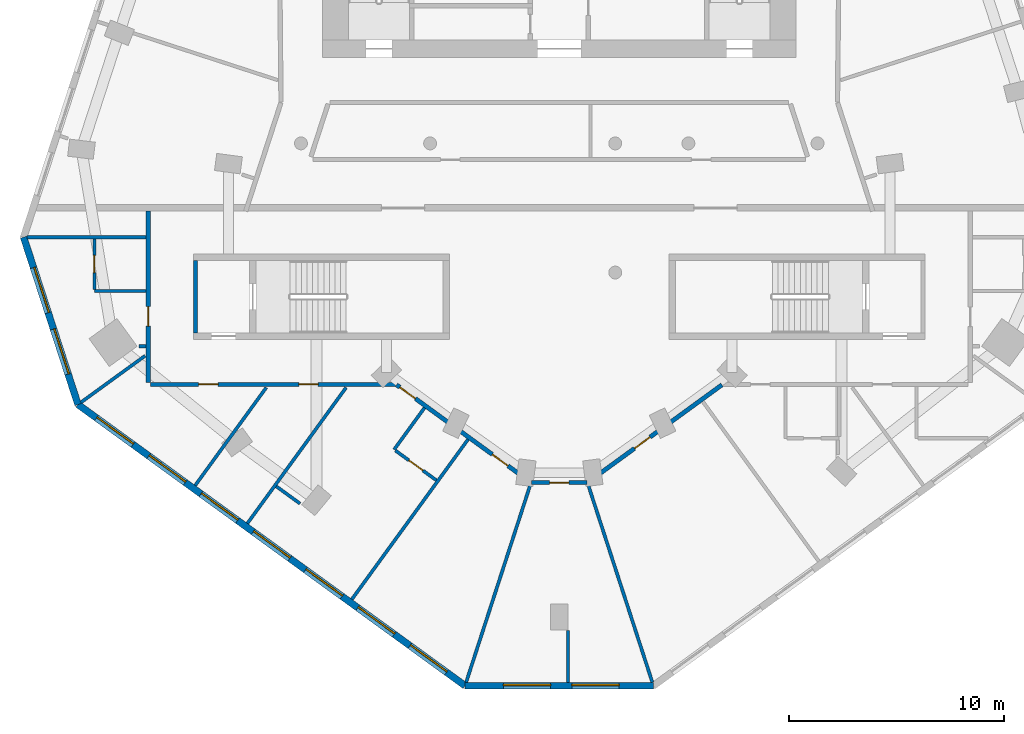
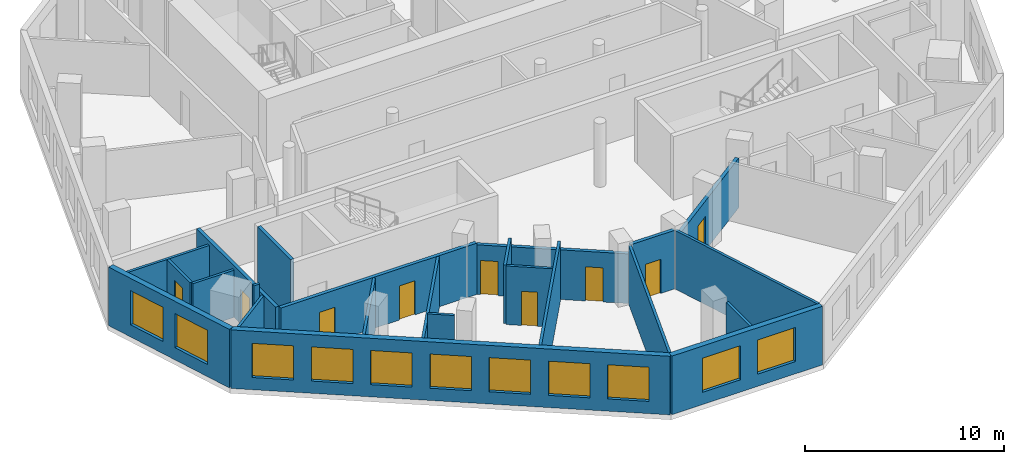
# One storey, part 2 of 9: 23 walls, 11 windows, 9 doors, 20 openings.
"""IFC4 building model written with IfcOpenShell, lengths in metres."""

from ifc_helpers import new_model, si_unit, direction, frame, frame_2d, origin, place, context, subcontext, project, spatial, rectangle, extrude, material, layer, layer_set, type_object, element, fill, save


model = new_model("IFC4")

# Units and contexts
model_context = context("Model", 3, precision=1e-05, world=origin(), true_north=direction((0.0, 1.0)))
body_context = subcontext(model_context, "Body", "Model", "MODEL_VIEW")
ifc_project = project(units=[si_unit("LENGTHUNIT", "METRE"), si_unit("AREAUNIT", "SQUARE_METRE"), si_unit("VOLUMEUNIT", "CUBIC_METRE"), si_unit("PLANEANGLEUNIT", "RADIAN"), si_unit("MASSUNIT", "GRAM", prefix="KILO")], contexts=[model_context])

# Site, building, storey
site_placement = place(None, origin())
site = spatial("IfcSite", under=ifc_project, at=site_placement, CompositionType="ELEMENT")
building_placement = place(site_placement, origin())
building = spatial("IfcBuilding", under=site, at=building_placement, Name="White Candle Pilgrim Tower", CompositionType="ELEMENT")
storey_placement = place(building_placement, frame((0.0, 0.0, 200.39990234375)))
storey = spatial("IfcBuildingStorey", under=building, at=storey_placement, Name="L46", CompositionType="ELEMENT", Elevation=200.39990234375)

# Wall
ifc_material_1 = material(Name="Concrete C50/60", Category="concrete")
ifc_layer_1 = layer(ifc_material_1, 0.199951171875)
ifc_layer_set_1 = layer_set([ifc_layer_1], Name="Core wall 200 mm Concrete C50/60")
wall_type_1 = type_object("IfcWallType", Name="Core wall 200 mm Concrete C50/60", PredefinedType="SHEAR", material=ifc_layer_set_1)
wall_1_placement = place(storey_placement, frame((53.10009765625, 58.199951171875, 0.0), z_axis=(0.0, 0.0, 1.0), x_axis=(0.0, 1.0, 0.0)))
element("IfcWall", 1, at=wall_1_placement, inside=storey, type_object=wall_type_1, Name="WL-L46-C03", PredefinedType="SHEAR", context=body_context, shape_type="SweptSolid", body=[
    extrude(rectangle(XDim=3.35009765625, YDim=0.199951171875, at=frame_2d((1.675048828125, 0.0))), origin(), (0.0, 0.0, 1.0), 3.900146484375),
])

# Wall, opening, door
ifc_material_2 = material(Name="Gypsum board on steel studs", Category="steel")
ifc_layer_2 = layer(ifc_material_2, 0.199951171875)
ifc_layer_set_2 = layer_set([ifc_layer_2], Name="Corridor wall 200 mm EI 45")
wall_type_2 = type_object("IfcWallType", Name="Corridor wall 200 mm EI 45", PredefinedType="PARTITIONING", material=ifc_layer_set_2)
wall_2_placement = place(storey_placement, frame((77.55908203125, 55.781005859375, 0.0), z_axis=(0.0, 0.0, 1.0), x_axis=(-0.80901190539, -0.587792256616, 0.0)))
wall_2 = element("IfcWall", 2, at=wall_2_placement, inside=storey, type_object=wall_type_2, Name="WL-L46-P008", PredefinedType="PARTITIONING", context=body_context, shape_type="SweptSolid", body=[
    extrude(rectangle(XDim=7.691162109375, YDim=0.199951171875, at=frame_2d((3.845703125, 0.0))), origin(), (0.0, 0.0, 1.0), 3.050048828125),
])
opening_1_placement = place(wall_2_placement, frame((4.125, 0.0, 0.0)))
opening_1 = element("IfcOpeningElement", 3, at=opening_1_placement, cuts=wall_2, Name="Opening T14-109", PredefinedType="OPENING", context=body_context, shape_type="SweptSolid", body=[
    extrude(rectangle(XDim=0.89990234375, YDim=2.10009765625, at=frame_2d((0.449951171875, 1.050048828125))), frame((0.0, 0.10986328125, 0.0), z_axis=(0.0, -1.0, 0.0), x_axis=(1.0, 0.0, 0.0)), (0.0, 0.0, 1.0), 0.219970703125),
])
ifc_material_3 = material(Name="Steel door leaf", Category="steel")
door_type_1 = type_object("IfcDoorType", Name="Fire door 900 x 2100 EI 30", OperationType="NOTDEFINED", PredefinedType="DOOR", material=ifc_material_3)
door_1_placement = place(opening_1_placement, origin())
door_1 = element("IfcDoor", 4, at=door_1_placement, inside=storey, type_object=door_type_1, Name="Door T14-109", OperationType="SINGLE_SWING_LEFT", OverallHeight=2.10009765625, OverallWidth=0.89990234375, PredefinedType="DOOR", context=body_context, shape_type="SweptSolid", body=[
    extrude(rectangle(XDim=0.89990234375, YDim=2.10009765625, at=frame_2d((0.449951171875, 1.050048828125))), frame((0.0, 0.02490234375, 0.0), z_axis=(0.0, -1.0, 0.0), x_axis=(1.0, 0.0, 0.0)), (0.0, 0.0, 1.0), 0.050048828125),
])
fill(opening_1, door_1)

wall_3_placement = place(storey_placement, frame((71.278076171875, 51.2412109375, 0.0), z_axis=(0.0, 0.0, 1.0), x_axis=(-1.0, 0.0, 0.0)))
wall_3 = element("IfcWall", 5, at=wall_3_placement, inside=storey, type_object=wall_type_2, Name="WL-L46-P009", PredefinedType="PARTITIONING", context=body_context, shape_type="SweptSolid", body=[
    extrude(rectangle(XDim=2.55615234375, YDim=0.199951171875, at=frame_2d((1.278076171875, 0.0))), origin(), (0.0, 0.0, 1.0), 3.60009765625),
])
opening_2_placement = place(wall_3_placement, frame((0.827880859375, 0.0, 0.0)))
opening_2 = element("IfcOpeningElement", 6, at=opening_2_placement, cuts=wall_3, Name="Opening T14-108", PredefinedType="OPENING", context=body_context, shape_type="SweptSolid", body=[
    extrude(rectangle(XDim=0.89990234375, YDim=2.10009765625, at=frame_2d((0.449951171875, 1.050048828125))), frame((0.0, 0.10986328125, 0.0), z_axis=(0.0, -1.0, 0.0), x_axis=(1.0, 0.0, 0.0)), (0.0, 0.0, 1.0), 0.219970703125),
])
door_2_placement = place(opening_2_placement, origin())
door_2 = element("IfcDoor", 7, at=door_2_placement, inside=storey, type_object=door_type_1, Name="Door T14-108", OperationType="SINGLE_SWING_RIGHT", OverallHeight=2.10009765625, OverallWidth=0.89990234375, PredefinedType="DOOR", context=body_context, shape_type="SweptSolid", body=[
    extrude(rectangle(XDim=0.89990234375, YDim=2.10009765625, at=frame_2d((0.449951171875, 1.050048828125))), frame((0.0, 0.02490234375, 0.0), z_axis=(0.0, -1.0, 0.0), x_axis=(1.0, 0.0, 0.0)), (0.0, 0.0, 1.0), 0.050048828125),
])
fill(opening_2, door_2)

# Wall, openings, doors
wall_4_placement = place(storey_placement, frame((68.6630859375, 51.26025390625, 0.0), z_axis=(0.0, 0.0, 1.0), x_axis=(-0.80901190539, 0.587792256616, 0.0)))
wall_4 = element("IfcWall", 8, at=wall_4_placement, inside=storey, type_object=wall_type_2, Name="WL-L46-P010", PredefinedType="PARTITIONING", context=body_context, shape_type="SweptSolid", body=[
    extrude(rectangle(XDim=7.691162109375, YDim=0.199951171875, at=frame_2d((3.845703125, 0.0))), origin(), (0.0, 0.0, 1.0), 3.050048828125),
])
opening_3_placement = place(wall_4_placement, frame((6.603759765625, 0.0, 0.0)))
opening_3 = element("IfcOpeningElement", 9, at=opening_3_placement, cuts=wall_4, Name="Opening T14-106", PredefinedType="OPENING", context=body_context, shape_type="SweptSolid", body=[
    extrude(rectangle(XDim=0.89990234375, YDim=2.10009765625, at=frame_2d((0.449951171875, 1.050048828125))), frame((0.0, 0.10986328125, 0.0), z_axis=(0.0, -1.0, 0.0), x_axis=(1.0, 0.0, 0.0)), (0.0, 0.0, 1.0), 0.219970703125),
])
opening_4_placement = place(wall_4_placement, frame((1.291015625, 0.0, 0.0)))
opening_4 = element("IfcOpeningElement", 10, at=opening_4_placement, cuts=wall_4, Name="Opening T14-107", PredefinedType="OPENING", context=body_context, shape_type="SweptSolid", body=[
    extrude(rectangle(XDim=0.89990234375, YDim=2.10009765625, at=frame_2d((0.449951171875, 1.050048828125))), frame((0.0, 0.10986328125, 0.0), z_axis=(0.0, -1.0, 0.0), x_axis=(1.0, 0.0, 0.0)), (0.0, 0.0, 1.0), 0.219970703125),
])
door_3_placement = place(opening_3_placement, origin())
door_3 = element("IfcDoor", 11, at=door_3_placement, inside=storey, type_object=door_type_1, Name="Door T14-106", OperationType="SINGLE_SWING_RIGHT", OverallHeight=2.10009765625, OverallWidth=0.89990234375, PredefinedType="DOOR", context=body_context, shape_type="SweptSolid", body=[
    extrude(rectangle(XDim=0.89990234375, YDim=2.10009765625, at=frame_2d((0.449951171875, 1.050048828125))), frame((0.0, 0.02490234375, 0.0), z_axis=(0.0, -1.0, 0.0), x_axis=(1.0, 0.0, 0.0)), (0.0, 0.0, 1.0), 0.050048828125),
])
fill(opening_3, door_3)
door_4_placement = place(opening_4_placement, origin())
door_4 = element("IfcDoor", 12, at=door_4_placement, inside=storey, type_object=door_type_1, Name="Door T14-107", OperationType="SINGLE_SWING_LEFT", OverallHeight=2.10009765625, OverallWidth=0.89990234375, PredefinedType="DOOR", context=body_context, shape_type="SweptSolid", body=[
    extrude(rectangle(XDim=0.89990234375, YDim=2.10009765625, at=frame_2d((0.449951171875, 1.050048828125))), frame((0.0, 0.02490234375, 0.0), z_axis=(0.0, -1.0, 0.0), x_axis=(1.0, 0.0, 0.0)), (0.0, 0.0, 1.0), 0.050048828125),
])
fill(opening_4, door_4)

wall_5_placement = place(storey_placement, frame((62.382080078125, 55.800048828125, 0.0), z_axis=(0.0, 0.0, 1.0), x_axis=(-1.0, 0.0, 0.0)))
wall_5 = element("IfcWall", 13, at=wall_5_placement, inside=storey, type_object=wall_type_2, Name="WL-L46-P011", PredefinedType="PARTITIONING", context=body_context, shape_type="SweptSolid", body=[
    extrude(rectangle(XDim=11.382080078125, YDim=0.199951171875, at=frame_2d((5.69091796875, 0.0))), origin(), (0.0, 0.0, 1.0), 3.150146484375),
])
opening_5_placement = place(wall_5_placement, frame((8.23583984375, 0.0, 0.0)))
opening_5 = element("IfcOpeningElement", 14, at=opening_5_placement, cuts=wall_5, Name="Opening T14-103", PredefinedType="OPENING", context=body_context, shape_type="SweptSolid", body=[
    extrude(rectangle(XDim=0.89990234375, YDim=2.10009765625, at=frame_2d((0.449951171875, 1.050048828125))), frame((0.0, 0.10986328125, 0.0), z_axis=(0.0, -1.0, 0.0), x_axis=(1.0, 0.0, 0.0)), (0.0, 0.0, 1.0), 0.219970703125),
])
opening_6_placement = place(wall_5_placement, frame((3.585205078125, 0.0, 0.0)))
opening_6 = element("IfcOpeningElement", 15, at=opening_6_placement, cuts=wall_5, Name="Opening T14-104", PredefinedType="OPENING", context=body_context, shape_type="SweptSolid", body=[
    extrude(rectangle(XDim=0.89990234375, YDim=2.10009765625, at=frame_2d((0.449951171875, 1.050048828125))), frame((0.0, 0.10986328125, 0.0), z_axis=(0.0, -1.0, 0.0), x_axis=(1.0, 0.0, 0.0)), (0.0, 0.0, 1.0), 0.219970703125),
])
door_5_placement = place(opening_5_placement, origin())
door_5 = element("IfcDoor", 16, at=door_5_placement, inside=storey, type_object=door_type_1, Name="Door T14-103", OperationType="SINGLE_SWING_LEFT", OverallHeight=2.10009765625, OverallWidth=0.89990234375, PredefinedType="DOOR", context=body_context, shape_type="SweptSolid", body=[
    extrude(rectangle(XDim=0.89990234375, YDim=2.10009765625, at=frame_2d((0.449951171875, 1.050048828125))), frame((0.0, 0.02490234375, 0.0), z_axis=(0.0, -1.0, 0.0), x_axis=(1.0, 0.0, 0.0)), (0.0, 0.0, 1.0), 0.050048828125),
])
fill(opening_5, door_5)
door_6_placement = place(opening_6_placement, origin())
door_6 = element("IfcDoor", 17, at=door_6_placement, inside=storey, type_object=door_type_1, Name="Door T14-104", OperationType="SINGLE_SWING_RIGHT", OverallHeight=2.10009765625, OverallWidth=0.89990234375, PredefinedType="DOOR", context=body_context, shape_type="SweptSolid", body=[
    extrude(rectangle(XDim=0.89990234375, YDim=2.10009765625, at=frame_2d((0.449951171875, 1.050048828125))), frame((0.0, 0.02490234375, 0.0), z_axis=(0.0, -1.0, 0.0), x_axis=(1.0, 0.0, 0.0)), (0.0, 0.0, 1.0), 0.050048828125),
])
fill(opening_6, door_6)

# Wall, opening, door
wall_6_placement = place(storey_placement, frame((50.89990234375, 55.89990234375, 0.0), z_axis=(0.0, 0.0, 1.0), x_axis=(0.0, 1.0, 0.0)))
wall_6 = element("IfcWall", 18, at=wall_6_placement, inside=storey, type_object=wall_type_2, Name="WL-L46-P012", PredefinedType="PARTITIONING", context=body_context, shape_type="SweptSolid", body=[
    extrude(rectangle(XDim=7.9501953125, YDim=0.199951171875, at=frame_2d((3.97509765625, 0.0))), origin(), (0.0, 0.0, 1.0), 3.150146484375),
])
opening_7_placement = place(wall_6_placement, frame((2.61376953125, 0.0, 0.0)))
opening_7 = element("IfcOpeningElement", 19, at=opening_7_placement, cuts=wall_6, Name="Opening T14-102", PredefinedType="OPENING", context=body_context, shape_type="SweptSolid", body=[
    extrude(rectangle(XDim=0.89990234375, YDim=2.10009765625, at=frame_2d((0.449951171875, 1.050048828125))), frame((0.0, 0.10986328125, 0.0), z_axis=(0.0, -1.0, 0.0), x_axis=(1.0, 0.0, 0.0)), (0.0, 0.0, 1.0), 0.219970703125),
])
door_7_placement = place(opening_7_placement, origin())
door_7 = element("IfcDoor", 20, at=door_7_placement, inside=storey, type_object=door_type_1, Name="Door T14-102", OperationType="SINGLE_SWING_RIGHT", OverallHeight=2.10009765625, OverallWidth=0.89990234375, PredefinedType="DOOR", context=body_context, shape_type="SweptSolid", body=[
    extrude(rectangle(XDim=0.89990234375, YDim=2.10009765625, at=frame_2d((0.449951171875, 1.050048828125))), frame((0.0, 0.02490234375, 0.0), z_axis=(0.0, -1.0, 0.0), x_axis=(1.0, 0.0, 0.0)), (0.0, 0.0, 1.0), 0.050048828125),
])
fill(opening_7, door_7)

# Wall, openings, windows
ifc_material_4 = material(Name="Precast concrete C40/50", Category="concrete")
ifc_layer_3 = layer(ifc_material_4, 0.320068359375)
ifc_layer_set_3 = layer_set([ifc_layer_3], Name="Facade wall EW1 precast concrete C40/50 pier wall with timber-lined reveals")
wall_type_3 = type_object("IfcWallType", Name="Facade wall EW1 precast concrete C40/50 pier wall with timber-lined reveals", PredefinedType="SOLIDWALL", material=ifc_layer_set_3)
wall_7_placement = place(storey_placement, frame((45.11279296875, 62.6416015625, 0.0), z_axis=(0.0, 0.0, 1.0), x_axis=(0.309006387978, -0.951059962457, 0.0)))
wall_7 = element("IfcWall", 21, at=wall_7_placement, inside=storey, type_object=wall_type_3, Name="Facade wall L46 W chamfer", PredefinedType="SOLIDWALL", context=body_context, shape_type="SweptSolid", body=[
    extrude(rectangle(XDim=8.175048828125, YDim=0.320068359375, at=frame_2d((4.08740234375, 0.0))), origin(), (0.0, 0.0, 1.0), 3.60009765625),
])
opening_8_placement = place(wall_7_placement, frame((1.487548828125, 0.0, 0.75)))
opening_8 = element("IfcOpeningElement", 22, at=opening_8_placement, cuts=wall_7, Name="Opening W4", PredefinedType="OPENING", context=body_context, shape_type="SweptSolid", body=[
    extrude(rectangle(XDim=2.199951171875, YDim=2.10009765625, at=frame_2d((1.10009765625, 1.050048828125))), frame((0.0, 0.169921875, 0.0), z_axis=(0.0, -1.0, 0.0), x_axis=(1.0, 0.0, 0.0)), (0.0, 0.0, 1.0), 0.340087890625),
])
opening_9_placement = place(wall_7_placement, frame((4.487548828125, 0.0, 0.75)))
opening_9 = element("IfcOpeningElement", 23, at=opening_9_placement, cuts=wall_7, Name="Opening W4", PredefinedType="OPENING", context=body_context, shape_type="SweptSolid", body=[
    extrude(rectangle(XDim=2.199951171875, YDim=2.10009765625, at=frame_2d((1.10009765625, 1.050048828125))), frame((0.0, 0.169921875, 0.0), z_axis=(0.0, -1.0, 0.0), x_axis=(1.0, 0.0, 0.0)), (0.0, 0.0, 1.0), 0.340087890625),
])
ifc_material_5 = material(Name="Timber frame with triple glazing", Category="wood")
window_type_1 = type_object("IfcWindowType", Name="Window W4 2200x2100 timber frame triple glazing", PartitioningType="SINGLE_PANEL", PredefinedType="WINDOW", material=ifc_material_5)
window_1_placement = place(opening_8_placement, origin())
window_1 = element("IfcWindow", 24, at=window_1_placement, inside=storey, type_object=window_type_1, Name="Window W4 L46 W chamfer 1", OverallHeight=2.10009765625, OverallWidth=2.199951171875, PartitioningType="SINGLE_PANEL", PredefinedType="WINDOW", context=body_context, shape_type="SweptSolid", body=[
    extrude(rectangle(XDim=2.199951171875, YDim=2.10009765625, at=frame_2d((1.10009765625, 1.050048828125))), frame((0.0, 0.070068359375, 0.0), z_axis=(0.0, -1.0, 0.0), x_axis=(1.0, 0.0, 0.0)), (0.0, 0.0, 1.0), 0.06005859375),
])
fill(opening_8, window_1)
window_2_placement = place(opening_9_placement, origin())
window_2 = element("IfcWindow", 25, at=window_2_placement, inside=storey, type_object=window_type_1, Name="Window W4 L46 W chamfer 2", OverallHeight=2.10009765625, OverallWidth=2.199951171875, PartitioningType="SINGLE_PANEL", PredefinedType="WINDOW", context=body_context, shape_type="SweptSolid", body=[
    extrude(rectangle(XDim=2.199951171875, YDim=2.10009765625, at=frame_2d((1.10009765625, 1.050048828125))), frame((0.0, 0.070068359375, 0.0), z_axis=(0.0, -1.0, 0.0), x_axis=(1.0, 0.0, 0.0)), (0.0, 0.0, 1.0), 0.06005859375),
])
fill(opening_9, window_2)

wall_8_placement = place(storey_placement, frame((47.638916015625, 54.86669921875, 0.0), z_axis=(0.0, 0.0, 1.0), x_axis=(0.809017634756, -0.587784370883, 0.0)))
wall_8 = element("IfcWall", 26, at=wall_8_placement, inside=storey, type_object=wall_type_3, Name="Facade wall L46 SW", PredefinedType="SOLIDWALL", context=body_context, shape_type="SweptSolid", body=[
    extrude(rectangle(XDim=22.228759765625, YDim=0.320068359375, at=frame_2d((11.1142578125, 0.0))), origin(), (0.0, 0.0, 1.0), 3.60009765625),
])
opening_10_placement = place(wall_8_placement, frame((1.064208984375, 0.0, 0.75)))
opening_10 = element("IfcOpeningElement", 27, at=opening_10_placement, cuts=wall_8, Name="Opening W3", PredefinedType="OPENING", context=body_context, shape_type="SweptSolid", body=[
    extrude(rectangle(XDim=2.10009765625, YDim=2.10009765625, at=frame_2d((1.050048828125, 1.050048828125))), frame((0.0, 0.169921875, 0.0), z_axis=(0.0, -1.0, 0.0), x_axis=(1.0, 0.0, 0.0)), (0.0, 0.0, 1.0), 0.340087890625),
])
opening_11_placement = place(wall_8_placement, frame((4.064208984375, 0.0, 0.75)))
opening_11 = element("IfcOpeningElement", 28, at=opening_11_placement, cuts=wall_8, Name="Opening W3", PredefinedType="OPENING", context=body_context, shape_type="SweptSolid", body=[
    extrude(rectangle(XDim=2.10009765625, YDim=2.10009765625, at=frame_2d((1.050048828125, 1.050048828125))), frame((0.0, 0.169921875, 0.0), z_axis=(0.0, -1.0, 0.0), x_axis=(1.0, 0.0, 0.0)), (0.0, 0.0, 1.0), 0.340087890625),
])
opening_12_placement = place(wall_8_placement, frame((7.064208984375, 0.0, 0.75)))
opening_12 = element("IfcOpeningElement", 29, at=opening_12_placement, cuts=wall_8, Name="Opening W3", PredefinedType="OPENING", context=body_context, shape_type="SweptSolid", body=[
    extrude(rectangle(XDim=2.10009765625, YDim=2.10009765625, at=frame_2d((1.050048828125, 1.050048828125))), frame((0.0, 0.169921875, 0.0), z_axis=(0.0, -1.0, 0.0), x_axis=(1.0, 0.0, 0.0)), (0.0, 0.0, 1.0), 0.340087890625),
])
opening_13_placement = place(wall_8_placement, frame((10.064208984375, 0.0, 0.75)))
opening_13 = element("IfcOpeningElement", 30, at=opening_13_placement, cuts=wall_8, Name="Opening W3", PredefinedType="OPENING", context=body_context, shape_type="SweptSolid", body=[
    extrude(rectangle(XDim=2.10009765625, YDim=2.10009765625, at=frame_2d((1.050048828125, 1.050048828125))), frame((0.0, 0.169921875, 0.0), z_axis=(0.0, -1.0, 0.0), x_axis=(1.0, 0.0, 0.0)), (0.0, 0.0, 1.0), 0.340087890625),
])
opening_14_placement = place(wall_8_placement, frame((13.064208984375, 0.0, 0.75)))
opening_14 = element("IfcOpeningElement", 31, at=opening_14_placement, cuts=wall_8, Name="Opening W3", PredefinedType="OPENING", context=body_context, shape_type="SweptSolid", body=[
    extrude(rectangle(XDim=2.10009765625, YDim=2.10009765625, at=frame_2d((1.050048828125, 1.050048828125))), frame((0.0, 0.169921875, 0.0), z_axis=(0.0, -1.0, 0.0), x_axis=(1.0, 0.0, 0.0)), (0.0, 0.0, 1.0), 0.340087890625),
])
opening_15_placement = place(wall_8_placement, frame((16.064208984375, 0.0, 0.75)))
opening_15 = element("IfcOpeningElement", 32, at=opening_15_placement, cuts=wall_8, Name="Opening W3", PredefinedType="OPENING", context=body_context, shape_type="SweptSolid", body=[
    extrude(rectangle(XDim=2.10009765625, YDim=2.10009765625, at=frame_2d((1.050048828125, 1.050048828125))), frame((0.0, 0.169921875, 0.0), z_axis=(0.0, -1.0, 0.0), x_axis=(1.0, 0.0, 0.0)), (0.0, 0.0, 1.0), 0.340087890625),
])
opening_16_placement = place(wall_8_placement, frame((19.064208984375, 0.0, 0.75)))
opening_16 = element("IfcOpeningElement", 33, at=opening_16_placement, cuts=wall_8, Name="Opening W3", PredefinedType="OPENING", context=body_context, shape_type="SweptSolid", body=[
    extrude(rectangle(XDim=2.10009765625, YDim=2.10009765625, at=frame_2d((1.050048828125, 1.050048828125))), frame((0.0, 0.169921875, 0.0), z_axis=(0.0, -1.0, 0.0), x_axis=(1.0, 0.0, 0.0)), (0.0, 0.0, 1.0), 0.340087890625),
])
window_type_2 = type_object("IfcWindowType", Name="Window W3 2100x2100 timber frame triple glazing", PartitioningType="SINGLE_PANEL", PredefinedType="WINDOW", material=ifc_material_5)
window_3_placement = place(opening_10_placement, origin())
window_3 = element("IfcWindow", 34, at=window_3_placement, inside=storey, type_object=window_type_2, Name="Window W3 L46 SW 1", OverallHeight=2.10009765625, OverallWidth=2.10009765625, PartitioningType="SINGLE_PANEL", PredefinedType="WINDOW", context=body_context, shape_type="SweptSolid", body=[
    extrude(rectangle(XDim=2.10009765625, YDim=2.10009765625, at=frame_2d((1.050048828125, 1.050048828125))), frame((0.0, 0.070068359375, 0.0), z_axis=(0.0, -1.0, 0.0), x_axis=(1.0, 0.0, 0.0)), (0.0, 0.0, 1.0), 0.06005859375),
])
fill(opening_10, window_3)
window_4_placement = place(opening_11_placement, origin())
window_4 = element("IfcWindow", 35, at=window_4_placement, inside=storey, type_object=window_type_2, Name="Window W3 L46 SW 2", OverallHeight=2.10009765625, OverallWidth=2.10009765625, PartitioningType="SINGLE_PANEL", PredefinedType="WINDOW", context=body_context, shape_type="SweptSolid", body=[
    extrude(rectangle(XDim=2.10009765625, YDim=2.10009765625, at=frame_2d((1.050048828125, 1.050048828125))), frame((0.0, 0.070068359375, 0.0), z_axis=(0.0, -1.0, 0.0), x_axis=(1.0, 0.0, 0.0)), (0.0, 0.0, 1.0), 0.06005859375),
])
fill(opening_11, window_4)
window_5_placement = place(opening_12_placement, origin())
window_5 = element("IfcWindow", 36, at=window_5_placement, inside=storey, type_object=window_type_2, Name="Window W3 L46 SW 3", OverallHeight=2.10009765625, OverallWidth=2.10009765625, PartitioningType="SINGLE_PANEL", PredefinedType="WINDOW", context=body_context, shape_type="SweptSolid", body=[
    extrude(rectangle(XDim=2.10009765625, YDim=2.10009765625, at=frame_2d((1.050048828125, 1.050048828125))), frame((0.0, 0.070068359375, 0.0), z_axis=(0.0, -1.0, 0.0), x_axis=(1.0, 0.0, 0.0)), (0.0, 0.0, 1.0), 0.06005859375),
])
fill(opening_12, window_5)
window_6_placement = place(opening_13_placement, origin())
window_6 = element("IfcWindow", 37, at=window_6_placement, inside=storey, type_object=window_type_2, Name="Window W3 L46 SW 4", OverallHeight=2.10009765625, OverallWidth=2.10009765625, PartitioningType="SINGLE_PANEL", PredefinedType="WINDOW", context=body_context, shape_type="SweptSolid", body=[
    extrude(rectangle(XDim=2.10009765625, YDim=2.10009765625, at=frame_2d((1.050048828125, 1.050048828125))), frame((0.0, 0.070068359375, 0.0), z_axis=(0.0, -1.0, 0.0), x_axis=(1.0, 0.0, 0.0)), (0.0, 0.0, 1.0), 0.06005859375),
])
fill(opening_13, window_6)
window_7_placement = place(opening_14_placement, origin())
window_7 = element("IfcWindow", 38, at=window_7_placement, inside=storey, type_object=window_type_2, Name="Window W3 L46 SW 5", OverallHeight=2.10009765625, OverallWidth=2.10009765625, PartitioningType="SINGLE_PANEL", PredefinedType="WINDOW", context=body_context, shape_type="SweptSolid", body=[
    extrude(rectangle(XDim=2.10009765625, YDim=2.10009765625, at=frame_2d((1.050048828125, 1.050048828125))), frame((0.0, 0.070068359375, 0.0), z_axis=(0.0, -1.0, 0.0), x_axis=(1.0, 0.0, 0.0)), (0.0, 0.0, 1.0), 0.06005859375),
])
fill(opening_14, window_7)
window_8_placement = place(opening_15_placement, origin())
window_8 = element("IfcWindow", 39, at=window_8_placement, inside=storey, type_object=window_type_2, Name="Window W3 L46 SW 6", OverallHeight=2.10009765625, OverallWidth=2.10009765625, PartitioningType="SINGLE_PANEL", PredefinedType="WINDOW", context=body_context, shape_type="SweptSolid", body=[
    extrude(rectangle(XDim=2.10009765625, YDim=2.10009765625, at=frame_2d((1.050048828125, 1.050048828125))), frame((0.0, 0.070068359375, 0.0), z_axis=(0.0, -1.0, 0.0), x_axis=(1.0, 0.0, 0.0)), (0.0, 0.0, 1.0), 0.06005859375),
])
fill(opening_15, window_8)
window_9_placement = place(opening_16_placement, origin())
window_9 = element("IfcWindow", 40, at=window_9_placement, inside=storey, type_object=window_type_2, Name="Window W3 L46 SW 7", OverallHeight=2.10009765625, OverallWidth=2.10009765625, PartitioningType="SINGLE_PANEL", PredefinedType="WINDOW", context=body_context, shape_type="SweptSolid", body=[
    extrude(rectangle(XDim=2.10009765625, YDim=2.10009765625, at=frame_2d((1.050048828125, 1.050048828125))), frame((0.0, 0.070068359375, 0.0), z_axis=(0.0, -1.0, 0.0), x_axis=(1.0, 0.0, 0.0)), (0.0, 0.0, 1.0), 0.06005859375),
])
fill(opening_16, window_9)

wall_9_placement = place(storey_placement, frame((65.622314453125, 41.801025390625, 0.0), z_axis=(0.0, 0.0, 1.0), x_axis=(1.0, 0.0, 0.0)))
wall_9 = element("IfcWall", 41, at=wall_9_placement, inside=storey, type_object=wall_type_3, Name="Facade wall L46 S chamfer", PredefinedType="SOLIDWALL", context=body_context, shape_type="SweptSolid", body=[
    extrude(rectangle(XDim=8.75537109375, YDim=0.320068359375, at=frame_2d((4.377685546875, 0.0))), origin(), (0.0, 0.0, 1.0), 3.60009765625),
])
opening_17_placement = place(wall_9_placement, frame((1.77783203125, 0.0, 0.75)))
opening_17 = element("IfcOpeningElement", 42, at=opening_17_placement, cuts=wall_9, Name="Opening W4", PredefinedType="OPENING", context=body_context, shape_type="SweptSolid", body=[
    extrude(rectangle(XDim=2.199951171875, YDim=2.10009765625, at=frame_2d((1.10009765625, 1.050048828125))), frame((0.0, 0.169921875, 0.0), z_axis=(0.0, -1.0, 0.0), x_axis=(1.0, 0.0, 0.0)), (0.0, 0.0, 1.0), 0.340087890625),
])
opening_18_placement = place(wall_9_placement, frame((4.962890625, 0.0, 0.75)))
opening_18 = element("IfcOpeningElement", 43, at=opening_18_placement, cuts=wall_9, Name="Opening W4", PredefinedType="OPENING", context=body_context, shape_type="SweptSolid", body=[
    extrude(rectangle(XDim=2.199951171875, YDim=2.10009765625, at=frame_2d((1.10009765625, 1.050048828125))), frame((0.0, 0.169921875, 0.0), z_axis=(0.0, -1.0, 0.0), x_axis=(1.0, 0.0, 0.0)), (0.0, 0.0, 1.0), 0.340087890625),
])
window_10_placement = place(opening_17_placement, origin())
window_10 = element("IfcWindow", 44, at=window_10_placement, inside=storey, type_object=window_type_1, Name="Window W4 L46 S chamfer 1", OverallHeight=2.10009765625, OverallWidth=2.199951171875, PartitioningType="SINGLE_PANEL", PredefinedType="WINDOW", context=body_context, shape_type="SweptSolid", body=[
    extrude(rectangle(XDim=2.199951171875, YDim=2.10009765625, at=frame_2d((1.10009765625, 1.050048828125))), frame((0.0, 0.070068359375, 0.0), z_axis=(0.0, -1.0, 0.0), x_axis=(1.0, 0.0, 0.0)), (0.0, 0.0, 1.0), 0.06005859375),
])
fill(opening_17, window_10)
window_11_placement = place(opening_18_placement, origin())
window_11 = element("IfcWindow", 45, at=window_11_placement, inside=storey, type_object=window_type_1, Name="Window W4 L46 S chamfer 2", OverallHeight=2.10009765625, OverallWidth=2.199951171875, PartitioningType="SINGLE_PANEL", PredefinedType="WINDOW", context=body_context, shape_type="SweptSolid", body=[
    extrude(rectangle(XDim=2.199951171875, YDim=2.10009765625, at=frame_2d((1.10009765625, 1.050048828125))), frame((0.0, 0.070068359375, 0.0), z_axis=(0.0, -1.0, 0.0), x_axis=(1.0, 0.0, 0.0)), (0.0, 0.0, 1.0), 0.06005859375),
])
fill(opening_18, window_11)

# Walls
ifc_layer_4 = layer(ifc_material_2, 0.14990234375)
ifc_layer_set_4 = layer_set([ifc_layer_4], Name="Partition 150 mm EI 60")
wall_type_4 = type_object("IfcWallType", Name="Partition 150 mm EI 60", PredefinedType="PARTITIONING", material=ifc_layer_set_4)
wall_10_placement = place(storey_placement, frame((45.281005859375, 62.6416015625, 0.0), z_axis=(0.0, 0.0, 1.0), x_axis=(1.0, 0.0, 0.0)))
element("IfcWall", 46, at=wall_10_placement, inside=storey, type_object=wall_type_4, Name="WL-L46-P018", PredefinedType="PARTITIONING", context=body_context, shape_type="SweptSolid", body=[
    extrude(rectangle(XDim=5.51904296875, YDim=0.14990234375, at=frame_2d((2.759521484375, 0.0))), origin(), (0.0, 0.0, 1.0), 2.900146484375),
])
wall_11_placement = place(storey_placement, frame((47.775146484375, 54.965576171875, 0.0), z_axis=(0.0, 0.0, 1.0), x_axis=(0.809028266422, 0.587769737338, 0.0)))
element("IfcWall", 47, at=wall_11_placement, inside=storey, type_object=wall_type_4, Name="WL-L46-P019", PredefinedType="PARTITIONING", context=body_context, shape_type="SweptSolid", body=[
    extrude(rectangle(XDim=3.684326171875, YDim=0.14990234375, at=frame_2d((1.84228515625, 0.0))), origin(), (0.0, 0.0, 1.0), 3.150146484375),
])
for number, where, z_axis, x_axis, name in (
    (48, (65.67431640625, 41.961181640625, 0.0), (0.0, 0.0, 1.0), (0.309002171774, 0.951061332322, 0.0), "WL-L46-P020"),
    (49, (74.32568359375, 41.961181640625, 0.0), (0.0, 0.0, 1.0), (-0.309002171774, 0.951061332322, 0.0), "WL-L46-P021"),
):
    element("IfcWall", number, at=place(storey_placement, frame(where, z_axis=z_axis, x_axis=x_axis)), inside=storey, type_object=wall_type_4, Name=name, PredefinedType="PARTITIONING", context=body_context, shape_type="SweptSolid", body=[
        extrude(rectangle(XDim=9.67236328125, YDim=0.14990234375, at=frame_2d((4.836181640625, 0.0))), origin(), (0.0, 0.0, 1.0), 3.60009765625),
    ])
wall_12_placement = place(storey_placement, frame((50.800048828125, 60.1416015625, 0.0), z_axis=(0.0, 0.0, 1.0), x_axis=(-1.0, 0.0, 0.0)))
element("IfcWall", 50, at=wall_12_placement, inside=storey, type_object=wall_type_4, Name="WL-L46-P026", PredefinedType="PARTITIONING", context=body_context, shape_type="SweptSolid", body=[
    extrude(rectangle(XDim=2.400146484375, YDim=0.14990234375, at=frame_2d((1.2001953125, 0.0))), origin(), (0.0, 0.0, 1.0), 2.900146484375),
])

# Wall, opening, door
wall_13_placement = place(storey_placement, frame((48.39990234375, 62.566650390625, 0.0), z_axis=(0.0, 0.0, 1.0), x_axis=(0.0, -1.0, 0.0)))
wall_13 = element("IfcWall", 51, at=wall_13_placement, inside=storey, type_object=wall_type_4, Name="WL-L46-P027", PredefinedType="PARTITIONING", context=body_context, shape_type="SweptSolid", body=[
    extrude(rectangle(XDim=2.35009765625, YDim=0.14990234375, at=frame_2d((1.175048828125, 0.0))), origin(), (0.0, 0.0, 1.0), 2.900146484375),
])
opening_19_placement = place(wall_13_placement, frame((0.77490234375, 0.0, 0.0)))
opening_19 = element("IfcOpeningElement", 52, at=opening_19_placement, cuts=wall_13, Name="Opening T14-101", PredefinedType="OPENING", context=body_context, shape_type="SweptSolid", body=[
    extrude(rectangle(XDim=0.800048828125, YDim=2.10009765625, at=frame_2d((0.39990234375, 1.050048828125))), frame((0.0, 0.0849609375, 0.0), z_axis=(0.0, -1.0, 0.0), x_axis=(1.0, 0.0, 0.0)), (0.0, 0.0, 1.0), 0.169921875),
])
door_type_2 = type_object("IfcDoorType", Name="Fire door 800 x 2100 EI 30", OperationType="NOTDEFINED", PredefinedType="DOOR", material=ifc_material_3)
door_8_placement = place(opening_19_placement, frame((0.800048828125, 0.0, 0.0), z_axis=(0.0, 0.0, 1.0), x_axis=(-1.0, 0.0, 0.0)))
door_8 = element("IfcDoor", 53, at=door_8_placement, inside=storey, type_object=door_type_2, Name="Door T14-101", OperationType="SINGLE_SWING_RIGHT", OverallHeight=2.10009765625, OverallWidth=0.800048828125, PredefinedType="DOOR", context=body_context, shape_type="SweptSolid", body=[
    extrude(rectangle(XDim=0.800048828125, YDim=2.10009765625, at=frame_2d((0.39990234375, 1.050048828125))), frame((0.0, 0.02490234375, 0.0), z_axis=(0.0, -1.0, 0.0), x_axis=(1.0, 0.0, 0.0)), (0.0, 0.0, 1.0), 0.050048828125),
])
fill(opening_19, door_8)

# Walls
wall_14_placement = place(storey_placement, frame((53.083984375, 51.1083984375, 0.0), z_axis=(0.0, 0.0, 1.0), x_axis=(0.587804932614, 0.809002695419, 0.0)))
element("IfcWall", 54, at=wall_14_placement, inside=storey, type_object=wall_type_4, Name="WL-L46-P028", PredefinedType="PARTITIONING", context=body_context, shape_type="SweptSolid", body=[
    extrude(rectangle(XDim=5.621337890625, YDim=0.14990234375, at=frame_2d((2.810546875, 0.0))), origin(), (0.0, 0.0, 1.0), 3.150146484375),
])
wall_15_placement = place(storey_placement, frame((55.510986328125, 49.344970703125, 0.0), z_axis=(0.0, 0.0, 1.0), x_axis=(0.587782705134, 0.809018844988, 0.0)))
element("IfcWall", 55, at=wall_15_placement, inside=storey, type_object=wall_type_4, Name="WL-L46-P029", PredefinedType="PARTITIONING", context=body_context, shape_type="SweptSolid", body=[
    extrude(rectangle(XDim=7.80078125, YDim=0.14990234375, at=frame_2d((3.900390625, 0.0))), origin(), (0.0, 0.0, 1.0), 3.150146484375),
])
wall_16_placement = place(storey_placement, frame((60.365234375, 45.818359375, 0.0), z_axis=(0.0, 0.0, 1.0), x_axis=(0.587777877013, 0.809022352778, 0.0)))
element("IfcWall", 56, at=wall_16_placement, inside=storey, type_object=wall_type_4, Name="WL-L46-P030", PredefinedType="PARTITIONING", context=body_context, shape_type="SweptSolid", body=[
    extrude(rectangle(XDim=9.179931640625, YDim=0.14990234375, at=frame_2d((4.58984375, 0.0))), origin(), (0.0, 0.0, 1.0), 3.60009765625),
])
wall_17_placement = place(storey_placement, frame((63.738525390625, 54.714599609375, 0.0), z_axis=(0.0, 0.0, 1.0), x_axis=(-0.587772420479, -0.809026317077, 0.0)))
element("IfcWall", 57, at=wall_17_placement, inside=storey, type_object=wall_type_4, Name="WL-L46-P031", PredefinedType="PARTITIONING", context=body_context, shape_type="SweptSolid", body=[
    extrude(rectangle(XDim=2.39990234375, YDim=0.14990234375, at=frame_2d((1.199951171875, 0.0))), origin(), (0.0, 0.0, 1.0), 3.60009765625),
])

# Wall, opening, door
wall_18_placement = place(storey_placement, frame((64.289794921875, 51.347412109375, 0.0), z_axis=(0.0, 0.0, 1.0), x_axis=(-0.808996573949, 0.587813357571, 0.0)))
wall_18 = element("IfcWall", 58, at=wall_18_placement, inside=storey, type_object=wall_type_4, Name="WL-L46-P032", PredefinedType="PARTITIONING", context=body_context, shape_type="SweptSolid", body=[
    extrude(rectangle(XDim=2.35009765625, YDim=0.14990234375, at=frame_2d((1.175048828125, 0.0))), origin(), (0.0, 0.0, 1.0), 3.60009765625),
])
opening_20_placement = place(wall_18_placement, frame((0.77490234375, 0.0, 0.0)))
opening_20 = element("IfcOpeningElement", 59, at=opening_20_placement, cuts=wall_18, Name="Opening T14-105", PredefinedType="OPENING", context=body_context, shape_type="SweptSolid", body=[
    extrude(rectangle(XDim=0.800048828125, YDim=2.10009765625, at=frame_2d((0.39990234375, 1.050048828125))), frame((0.0, 0.0849609375, 0.0), z_axis=(0.0, -1.0, 0.0), x_axis=(1.0, 0.0, 0.0)), (0.0, 0.0, 1.0), 0.169921875),
])
door_9_placement = place(opening_20_placement, origin())
door_9 = element("IfcDoor", 60, at=door_9_placement, inside=storey, type_object=door_type_2, Name="Door T14-105", OperationType="SINGLE_SWING_LEFT", OverallHeight=2.10009765625, OverallWidth=0.800048828125, PredefinedType="DOOR", context=body_context, shape_type="SweptSolid", body=[
    extrude(rectangle(XDim=0.800048828125, YDim=2.10009765625, at=frame_2d((0.39990234375, 1.050048828125))), frame((0.0, 0.02490234375, 0.0), z_axis=(0.0, -1.0, 0.0), x_axis=(1.0, 0.0, 0.0)), (0.0, 0.0, 1.0), 0.050048828125),
])
fill(opening_20, door_9)

# Walls
wall_19_placement = place(storey_placement, frame((50.477294921875, 57.57568359375, 0.0), z_axis=(0.0, 0.0, 1.0), x_axis=(1.0, 0.0, 0.0)))
element("IfcWall", 61, at=wall_19_placement, inside=storey, type_object=wall_type_4, Name="WL-L46-P044", PredefinedType="PARTITIONING", context=body_context, shape_type="SweptSolid", body=[
    extrude(rectangle(XDim=0.32275390625, YDim=0.14990234375, at=frame_2d((0.161376953125, 0.0))), origin(), (0.0, 0.0, 1.0), 3.60009765625),
])
wall_20_placement = place(storey_placement, frame((57.954833984375, 50.264892578125, 0.0), z_axis=(0.0, 0.0, 1.0), x_axis=(-0.809053951213, 0.587734382205, 0.0)))
element("IfcWall", 62, at=wall_20_placement, inside=storey, type_object=wall_type_4, Name="WL-L46-P045", PredefinedType="PARTITIONING", context=body_context, shape_type="SweptSolid", body=[
    extrude(rectangle(XDim=1.361328125, YDim=0.14990234375, at=frame_2d((0.6806640625, 0.0))), origin(), (0.0, 0.0, 1.0), 3.60009765625),
])
wall_21_placement = place(storey_placement, frame((70.409912109375, 44.3701171875, 0.0), z_axis=(0.0, 0.0, 1.0), x_axis=(0.0, -1.0, 0.0)))
element("IfcWall", 63, at=wall_21_placement, inside=storey, type_object=wall_type_4, Name="WL-L46-P046", PredefinedType="PARTITIONING", context=body_context, shape_type="SweptSolid", body=[
    extrude(rectangle(XDim=2.408935546875, YDim=0.14990234375, at=frame_2d((1.20458984375, 0.0))), origin(), (0.0, 0.0, 1.0), 3.60009765625),
])

save(model, "model.ifc")
